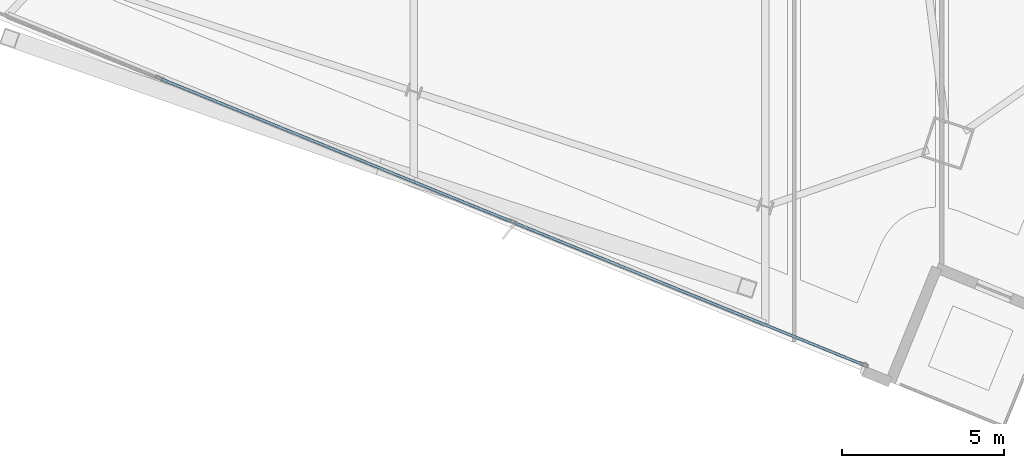
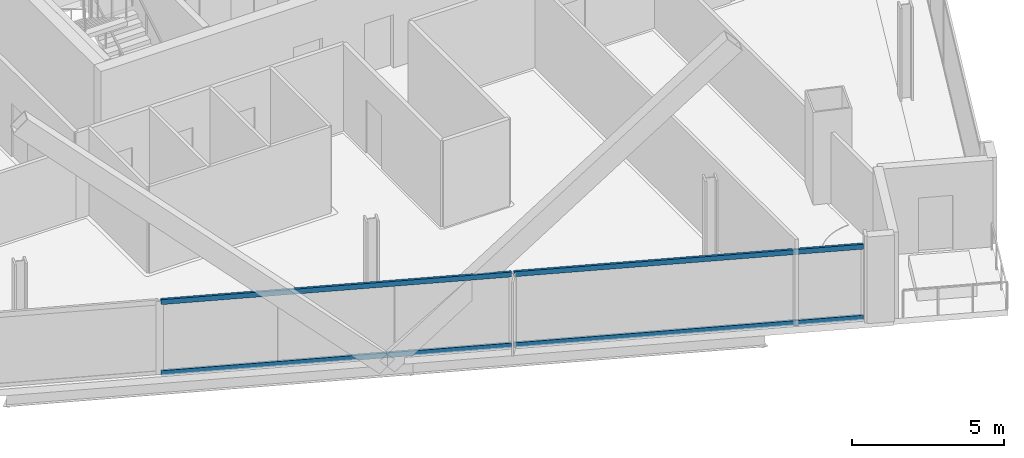
# One storey, part 3 of 31: 4 members, 1 element without a shape of its own.
"""IFC4 building model written with IfcOpenShell, lengths in metres."""

from ifc_helpers import new_model, si_unit, direction, frame, origin, origin_2d, place, context, subcontext, project, spatial, hollow_rectangle, extrude, material, material_profile, profile_set, type_object, element, aggregate, save


model = new_model("IFC4")

# Units and contexts
model_context = context("Model", 3, precision=1e-05, world=origin(), true_north=direction((0.0, 1.0)))
body_context = subcontext(model_context, "Body", "Model", "MODEL_VIEW")
ifc_project = project(units=[si_unit("LENGTHUNIT", "METRE"), si_unit("AREAUNIT", "SQUARE_METRE"), si_unit("VOLUMEUNIT", "CUBIC_METRE"), si_unit("PLANEANGLEUNIT", "RADIAN"), si_unit("MASSUNIT", "GRAM", prefix="KILO")], contexts=[model_context])

# Site, building, storey
site_placement = place(None, origin())
site = spatial("IfcSite", under=ifc_project, at=site_placement, CompositionType="ELEMENT")
building_placement = place(site_placement, origin())
building = spatial("IfcBuilding", under=site, at=building_placement, Name="Haldenkirk Collegiate Tower", CompositionType="ELEMENT")
storey_placement = place(building_placement, frame((0.0, 0.0, 256.199951171875)))
storey = spatial("IfcBuildingStorey", under=building, at=storey_placement, Name="L64", CompositionType="ELEMENT", Elevation=256.199951171875)

# Curtain wall, members
ifc_material = material(Name="Anodised architectural bronze aluminium", Category="aluminium")
curtain_wall_type = type_object("IfcCurtainWallType", Name="CW-SYS1B-CONVEX-HI", PredefinedType="USERDEFINED", material=ifc_material)
curtain_wall_placement = place(storey_placement, origin())
curtain_wall = element("IfcCurtainWall", 1, at=curtain_wall_placement, inside=storey, type_object=curtain_wall_type, Name="L64 Upper tower high-wind convex bronze unitised curtain wall", ObjectType="UNITISED CURTAIN WALL", PredefinedType="USERDEFINED")
ifc_material_profile = material_profile(ifc_material, hollow_rectangle(XDim=0.0849609375, YDim=0.199951171875, WallThickness=0.0048828125, at=origin_2d()), Name="CW-TRN-1B")
ifc_profile_set = profile_set([ifc_material_profile], Name="Anodised architectural bronze aluminium")
member_type = type_object("IfcMemberType", Name="CW-TRN-1B", PredefinedType="USERDEFINED", material=ifc_profile_set)
member_1_placement = place(storey_placement, frame((44.115966796875, -2.3740234375, 0.04248046875), z_axis=(-0.926200670133, 0.377030925317, 0.0), x_axis=(-0.377030925317, -0.926200670133, 0.0)))
member_1 = element("IfcMember", 2, at=member_1_placement, type_object=member_type, Name="CW-1B transom 1.1", ObjectType="TRANSOM", PredefinedType="USERDEFINED", context=body_context, shape_type="SweptSolid", body=[
    extrude(hollow_rectangle(XDim=0.0849609375, YDim=0.199951171875, WallThickness=0.0048828125, at=origin_2d()), origin(), (0.0, 0.0, 1.0), 11.605712890625),
])
member_2_placement = place(storey_placement, frame((44.115966796875, -2.3740234375, 2.8955078125), z_axis=(-0.926200670133, 0.377030925317, 0.0), x_axis=(-0.377030925317, -0.926200670133, 0.0)))
member_2 = element("IfcMember", 3, at=member_2_placement, type_object=member_type, Name="CW-1B transom 1.2", ObjectType="TRANSOM", PredefinedType="USERDEFINED", context=body_context, shape_type="SweptSolid", body=[
    extrude(hollow_rectangle(XDim=0.0849609375, YDim=0.199951171875, WallThickness=0.0048828125, at=origin_2d()), origin(), (0.0, 0.0, 1.0), 11.605712890625),
])
member_3_placement = place(storey_placement, frame((33.2880859375, 2.03369140625, 0.04248046875), z_axis=(-0.926200273171, 0.377031900479, 0.0), x_axis=(-0.377031900479, -0.926200273171, 0.0)))
member_3 = element("IfcMember", 4, at=member_3_placement, type_object=member_type, Name="CW-1B transom 2.1", ObjectType="TRANSOM", PredefinedType="USERDEFINED", context=body_context, shape_type="SweptSolid", body=[
    extrude(hollow_rectangle(XDim=0.0849609375, YDim=0.199951171875, WallThickness=0.0048828125, at=origin_2d()), origin(), (0.0, 0.0, 1.0), 11.6484375),
])
member_4_placement = place(storey_placement, frame((33.2880859375, 2.03369140625, 2.8955078125), z_axis=(-0.926200273171, 0.377031900479, 0.0), x_axis=(-0.377031900479, -0.926200273171, 0.0)))
member_4 = element("IfcMember", 5, at=member_4_placement, type_object=member_type, Name="CW-1B transom 2.2", ObjectType="TRANSOM", PredefinedType="USERDEFINED", context=body_context, shape_type="SweptSolid", body=[
    extrude(hollow_rectangle(XDim=0.0849609375, YDim=0.199951171875, WallThickness=0.0048828125, at=origin_2d()), origin(), (0.0, 0.0, 1.0), 11.6484375),
])
aggregate(curtain_wall, [member_1, member_2, member_3, member_4])

save(model, "model.ifc")
